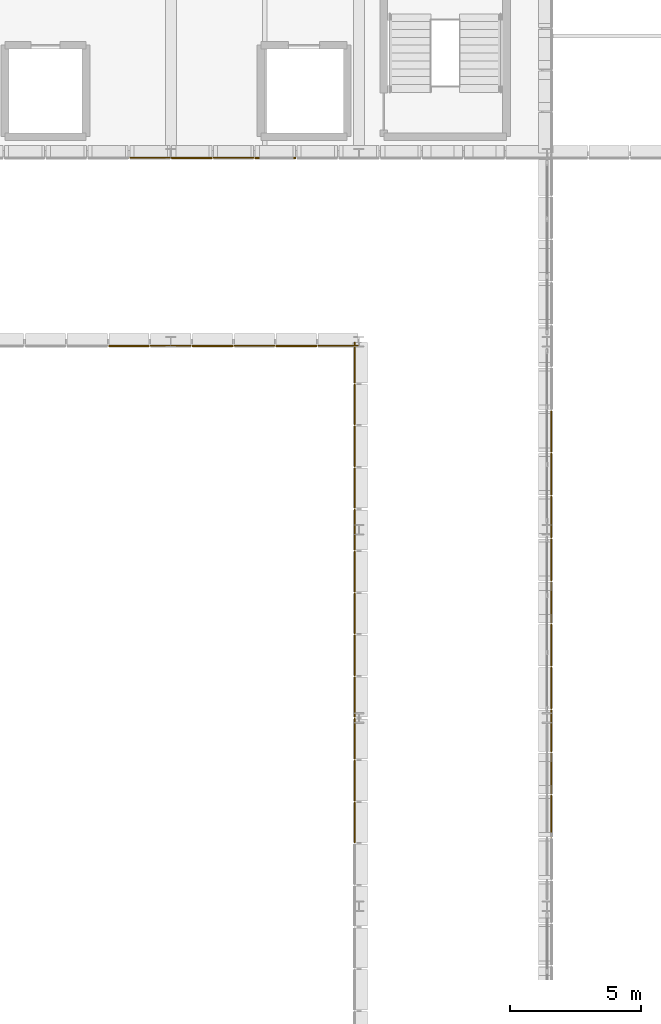
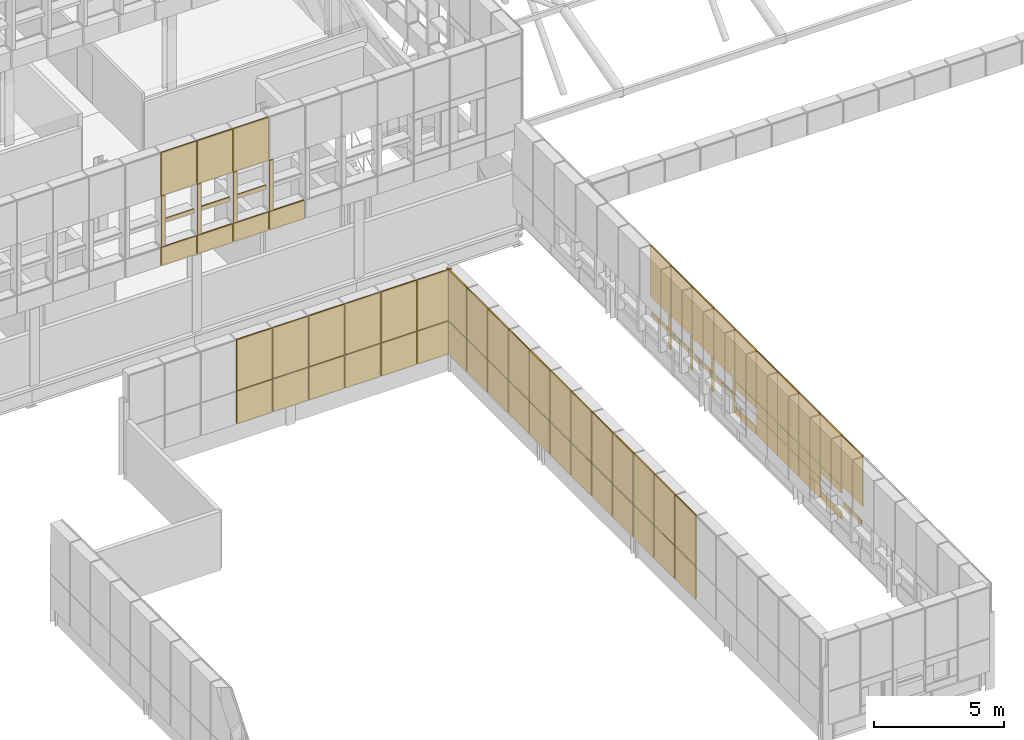
# One storey, part 80 of 96: 76 coverings.
"""IFC4 building model written with IfcOpenShell, lengths in metres."""

from ifc_helpers import new_model, si_unit, direction, frame, origin, origin_2d, place, context, subcontext, project, spatial, rectangle, extrude, material, layer, layer_set, type_object, element, save


model = new_model("IFC4")

# Units and contexts
model_context = context("Model", 3, precision=1e-05, world=origin(), true_north=direction((0.0, 1.0)))
body_context = subcontext(model_context, "Body", "Model", "MODEL_VIEW")
ifc_project = project(units=[si_unit("LENGTHUNIT", "METRE"), si_unit("AREAUNIT", "SQUARE_METRE"), si_unit("VOLUMEUNIT", "CUBIC_METRE"), si_unit("PLANEANGLEUNIT", "RADIAN"), si_unit("MASSUNIT", "GRAM", prefix="KILO")], contexts=[model_context])

# Site, building, storey
site_placement = place(None, origin())
site = spatial("IfcSite", under=ifc_project, at=site_placement, CompositionType="ELEMENT")
building_placement = place(site_placement, origin())
building = spatial("IfcBuilding", under=site, at=building_placement, Name="Yarey Park Central Fire Station", CompositionType="ELEMENT")
storey_placement = place(building_placement, frame((0.0, 0.0, 14.39990234375)))
storey = spatial("IfcBuildingStorey", under=building, at=storey_placement, Name="L04", CompositionType="ELEMENT", Elevation=14.39990234375)

# Coverings
ifc_material = material(Name="Perforated Powder-Coated Aluminium Cladding", Category="aluminium")
ifc_layer_1 = layer(ifc_material, 0.0419921875)
ifc_layer_set_1 = layer_set([ifc_layer_1], Name="Perforated Powder-Coated Aluminium Cladding")
covering_type_1 = type_object("IfcCoveringType", Name="ENV_COV_PERF_1", PredefinedType="CLADDING", material=ifc_layer_set_1)
covering_1_placement = place(storey_placement, frame((57.760009765625, 32.236328125, 1.55517578125), z_axis=(0.0, 0.0, 1.0), x_axis=(0.0, 1.0, 0.0)))
element("IfcCovering", 1, at=covering_1_placement, inside=storey, type_object=covering_type_1, Name="PERF_L04_0357", PredefinedType="CLADDING", context=body_context, shape_type="SweptSolid", body=[
    extrude(rectangle(XDim=1.396484375, YDim=0.0419921875, at=origin_2d()), origin(), (0.0, 0.0, 1.0), 0.159912109375),
])
covering_2_placement = place(storey_placement, frame((57.760009765625, 32.236328125, 2.43505859375), z_axis=(0.0, 0.0, 1.0), x_axis=(0.0, 1.0, 0.0)))
element("IfcCovering", 2, at=covering_2_placement, inside=storey, type_object=covering_type_1, Name="PERF_L04_0358", PredefinedType="CLADDING", context=body_context, shape_type="SweptSolid", body=[
    extrude(rectangle(XDim=1.596435546875, YDim=0.0419921875, at=origin_2d()), origin(), (0.0, 0.0, 1.0), 2.3701171875),
])
covering_3_placement = place(storey_placement, frame((57.760009765625, 35.509033203125, 0.864990234375), z_axis=(0.0, 0.0, 1.0), x_axis=(0.0, 1.0, 0.0)))
element("IfcCovering", 3, at=covering_3_placement, inside=storey, type_object=covering_type_1, Name="PERF_L04_0373", PredefinedType="CLADDING", context=body_context, shape_type="SweptSolid", body=[
    extrude(rectangle(XDim=1.596435546875, YDim=0.0419921875, at=origin_2d()), origin(), (0.0, 0.0, 1.0), 1.5400390625),
])
covering_4_placement = place(storey_placement, frame((57.760009765625, 35.509033203125, 2.43505859375), z_axis=(0.0, 0.0, 1.0), x_axis=(0.0, 1.0, 0.0)))
element("IfcCovering", 4, at=covering_4_placement, inside=storey, type_object=covering_type_1, Name="PERF_L04_0374", PredefinedType="CLADDING", context=body_context, shape_type="SweptSolid", body=[
    extrude(rectangle(XDim=1.596435546875, YDim=0.0419921875, at=origin_2d()), origin(), (0.0, 0.0, 1.0), 2.3701171875),
])
covering_5_placement = place(storey_placement, frame((57.760009765625, 38.78173828125, 0.864990234375), z_axis=(0.0, 0.0, 1.0), x_axis=(0.0, 1.0, 0.0)))
element("IfcCovering", 5, at=covering_5_placement, inside=storey, type_object=covering_type_1, Name="PERF_L04_0383", PredefinedType="CLADDING", context=body_context, shape_type="SweptSolid", body=[
    extrude(rectangle(XDim=1.596435546875, YDim=0.0419921875, at=origin_2d()), origin(), (0.0, 0.0, 1.0), 1.5400390625),
])
covering_6_placement = place(storey_placement, frame((57.760009765625, 38.78173828125, 2.43505859375), z_axis=(0.0, 0.0, 1.0), x_axis=(0.0, 1.0, 0.0)))
element("IfcCovering", 6, at=covering_6_placement, inside=storey, type_object=covering_type_1, Name="PERF_L04_0384", PredefinedType="CLADDING", context=body_context, shape_type="SweptSolid", body=[
    extrude(rectangle(XDim=1.596435546875, YDim=0.0419921875, at=origin_2d()), origin(), (0.0, 0.0, 1.0), 2.3701171875),
])
covering_7_placement = place(storey_placement, frame((57.760009765625, 41.34619140625, 0.864990234375), z_axis=(0.0, 0.0, 1.0), x_axis=(0.0, 1.0, 0.0)))
element("IfcCovering", 7, at=covering_7_placement, inside=storey, type_object=covering_type_1, Name="PERF_L04_0400", PredefinedType="CLADDING", context=body_context, shape_type="SweptSolid", body=[
    extrude(rectangle(XDim=0.159912109375, YDim=0.0419921875, at=origin_2d()), origin(), (0.0, 0.0, 1.0), 1.5400390625),
])
covering_8_placement = place(storey_placement, frame((57.760009765625, 42.054443359375, 1.55517578125), z_axis=(0.0, 0.0, 1.0), x_axis=(0.0, 1.0, 0.0)))
element("IfcCovering", 8, at=covering_8_placement, inside=storey, type_object=covering_type_1, Name="PERF_L04_0401", PredefinedType="CLADDING", context=body_context, shape_type="SweptSolid", body=[
    extrude(rectangle(XDim=1.396484375, YDim=0.0419921875, at=origin_2d()), origin(), (0.0, 0.0, 1.0), 0.159912109375),
])
covering_9_placement = place(storey_placement, frame((57.760009765625, 42.054443359375, 2.43505859375), z_axis=(0.0, 0.0, 1.0), x_axis=(0.0, 1.0, 0.0)))
element("IfcCovering", 9, at=covering_9_placement, inside=storey, type_object=covering_type_1, Name="PERF_L04_0402", PredefinedType="CLADDING", context=body_context, shape_type="SweptSolid", body=[
    extrude(rectangle(XDim=1.596435546875, YDim=0.0419921875, at=origin_2d()), origin(), (0.0, 0.0, 1.0), 2.3701171875),
])
covering_10_placement = place(storey_placement, frame((57.760009765625, 44.619140625, 0.864990234375), z_axis=(0.0, 0.0, 1.0), x_axis=(0.0, 1.0, 0.0)))
element("IfcCovering", 10, at=covering_10_placement, inside=storey, type_object=covering_type_1, Name="PERF_L04_0414", PredefinedType="CLADDING", context=body_context, shape_type="SweptSolid", body=[
    extrude(rectangle(XDim=0.159912109375, YDim=0.0419921875, at=origin_2d()), origin(), (0.0, 0.0, 1.0), 1.5400390625),
])
covering_11_placement = place(storey_placement, frame((57.760009765625, 45.327392578125, 1.55517578125), z_axis=(0.0, 0.0, 1.0), x_axis=(0.0, 1.0, 0.0)))
element("IfcCovering", 11, at=covering_11_placement, inside=storey, type_object=covering_type_1, Name="PERF_L04_0415", PredefinedType="CLADDING", context=body_context, shape_type="SweptSolid", body=[
    extrude(rectangle(XDim=1.396484375, YDim=0.0419921875, at=origin_2d()), origin(), (0.0, 0.0, 1.0), 0.159912109375),
])
covering_12_placement = place(storey_placement, frame((57.760009765625, 45.327392578125, 2.43505859375), z_axis=(0.0, 0.0, 1.0), x_axis=(0.0, 1.0, 0.0)))
element("IfcCovering", 12, at=covering_12_placement, inside=storey, type_object=covering_type_1, Name="PERF_L04_0416", PredefinedType="CLADDING", context=body_context, shape_type="SweptSolid", body=[
    extrude(rectangle(XDim=1.596435546875, YDim=0.0419921875, at=origin_2d()), origin(), (0.0, 0.0, 1.0), 2.3701171875),
])
covering_13_placement = place(storey_placement, frame((50.239990234375, 32.0, 0.864990234375), z_axis=(0.0, 0.0, 1.0), x_axis=(0.0, 1.0, 0.0)))
element("IfcCovering", 13, at=covering_13_placement, inside=storey, type_object=covering_type_1, Name="PERF_L04_1020", PredefinedType="CLADDING", context=body_context, shape_type="SweptSolid", body=[
    extrude(rectangle(XDim=1.56005859375, YDim=0.0419921875, at=origin_2d()), origin(), (0.0, 0.0, 1.0), 1.5400390625),
])
covering_14_placement = place(storey_placement, frame((50.239990234375, 32.0, 2.43505859375), z_axis=(0.0, 0.0, 1.0), x_axis=(0.0, 1.0, 0.0)))
element("IfcCovering", 14, at=covering_14_placement, inside=storey, type_object=covering_type_1, Name="PERF_L04_1021", PredefinedType="CLADDING", context=body_context, shape_type="SweptSolid", body=[
    extrude(rectangle(XDim=1.56005859375, YDim=0.0419921875, at=origin_2d()), origin(), (0.0, 0.0, 1.0), 2.3701171875),
])
covering_15_placement = place(storey_placement, frame((50.239990234375, 35.199951171875, 0.864990234375), z_axis=(0.0, 0.0, 1.0), x_axis=(0.0, 1.0, 0.0)))
element("IfcCovering", 15, at=covering_15_placement, inside=storey, type_object=covering_type_1, Name="PERF_L04_1030", PredefinedType="CLADDING", context=body_context, shape_type="SweptSolid", body=[
    extrude(rectangle(XDim=1.56005859375, YDim=0.0419921875, at=origin_2d()), origin(), (0.0, 0.0, 1.0), 1.5400390625),
])
covering_16_placement = place(storey_placement, frame((50.239990234375, 35.199951171875, 2.43505859375), z_axis=(0.0, 0.0, 1.0), x_axis=(0.0, 1.0, 0.0)))
element("IfcCovering", 16, at=covering_16_placement, inside=storey, type_object=covering_type_1, Name="PERF_L04_1031", PredefinedType="CLADDING", context=body_context, shape_type="SweptSolid", body=[
    extrude(rectangle(XDim=1.56005859375, YDim=0.0419921875, at=origin_2d()), origin(), (0.0, 0.0, 1.0), 2.3701171875),
])
covering_17_placement = place(storey_placement, frame((50.239990234375, 38.39990234375, 0.864990234375), z_axis=(0.0, 0.0, 1.0), x_axis=(0.0, 1.0, 0.0)))
element("IfcCovering", 17, at=covering_17_placement, inside=storey, type_object=covering_type_1, Name="PERF_L04_1040", PredefinedType="CLADDING", context=body_context, shape_type="SweptSolid", body=[
    extrude(rectangle(XDim=1.56005859375, YDim=0.0419921875, at=origin_2d()), origin(), (0.0, 0.0, 1.0), 1.5400390625),
])
covering_18_placement = place(storey_placement, frame((50.239990234375, 38.39990234375, 2.43505859375), z_axis=(0.0, 0.0, 1.0), x_axis=(0.0, 1.0, 0.0)))
element("IfcCovering", 18, at=covering_18_placement, inside=storey, type_object=covering_type_1, Name="PERF_L04_1041", PredefinedType="CLADDING", context=body_context, shape_type="SweptSolid", body=[
    extrude(rectangle(XDim=1.56005859375, YDim=0.0419921875, at=origin_2d()), origin(), (0.0, 0.0, 1.0), 2.3701171875),
])
covering_19_placement = place(storey_placement, frame((50.239990234375, 41.60009765625, 0.864990234375), z_axis=(0.0, 0.0, 1.0), x_axis=(0.0, 1.0, 0.0)))
element("IfcCovering", 19, at=covering_19_placement, inside=storey, type_object=covering_type_1, Name="PERF_L04_1050", PredefinedType="CLADDING", context=body_context, shape_type="SweptSolid", body=[
    extrude(rectangle(XDim=1.56005859375, YDim=0.0419921875, at=origin_2d()), origin(), (0.0, 0.0, 1.0), 1.5400390625),
])
covering_20_placement = place(storey_placement, frame((50.239990234375, 41.60009765625, 2.43505859375), z_axis=(0.0, 0.0, 1.0), x_axis=(0.0, 1.0, 0.0)))
element("IfcCovering", 20, at=covering_20_placement, inside=storey, type_object=covering_type_1, Name="PERF_L04_1051", PredefinedType="CLADDING", context=body_context, shape_type="SweptSolid", body=[
    extrude(rectangle(XDim=1.56005859375, YDim=0.0419921875, at=origin_2d()), origin(), (0.0, 0.0, 1.0), 2.3701171875),
])
covering_21_placement = place(storey_placement, frame((50.239990234375, 44.800048828125, 0.864990234375), z_axis=(0.0, 0.0, 1.0), x_axis=(0.0, 1.0, 0.0)))
element("IfcCovering", 21, at=covering_21_placement, inside=storey, type_object=covering_type_1, Name="PERF_L04_1060", PredefinedType="CLADDING", context=body_context, shape_type="SweptSolid", body=[
    extrude(rectangle(XDim=1.56005859375, YDim=0.0419921875, at=origin_2d()), origin(), (0.0, 0.0, 1.0), 1.5400390625),
])
covering_22_placement = place(storey_placement, frame((50.239990234375, 44.800048828125, 2.43505859375), z_axis=(0.0, 0.0, 1.0), x_axis=(0.0, 1.0, 0.0)))
element("IfcCovering", 22, at=covering_22_placement, inside=storey, type_object=covering_type_1, Name="PERF_L04_1061", PredefinedType="CLADDING", context=body_context, shape_type="SweptSolid", body=[
    extrude(rectangle(XDim=1.56005859375, YDim=0.0419921875, at=origin_2d()), origin(), (0.0, 0.0, 1.0), 2.3701171875),
])
covering_23_placement = place(storey_placement, frame((50.239990234375, 48.0, 0.864990234375), z_axis=(0.0, 0.0, 1.0), x_axis=(0.0, 1.0, 0.0)))
element("IfcCovering", 23, at=covering_23_placement, inside=storey, type_object=covering_type_1, Name="PERF_L04_1070", PredefinedType="CLADDING", context=body_context, shape_type="SweptSolid", body=[
    extrude(rectangle(XDim=1.56005859375, YDim=0.0419921875, at=origin_2d()), origin(), (0.0, 0.0, 1.0), 1.5400390625),
])
covering_24_placement = place(storey_placement, frame((50.239990234375, 48.0, 2.43505859375), z_axis=(0.0, 0.0, 1.0), x_axis=(0.0, 1.0, 0.0)))
element("IfcCovering", 24, at=covering_24_placement, inside=storey, type_object=covering_type_1, Name="PERF_L04_1071", PredefinedType="CLADDING", context=body_context, shape_type="SweptSolid", body=[
    extrude(rectangle(XDim=1.56005859375, YDim=0.0419921875, at=origin_2d()), origin(), (0.0, 0.0, 1.0), 2.3701171875),
])
covering_25_placement = place(storey_placement, frame((43.199951171875, 50.239990234375, 0.864990234375), z_axis=(0.0, 0.0, 1.0), x_axis=(1.0, 0.0, 0.0)))
element("IfcCovering", 25, at=covering_25_placement, inside=storey, type_object=covering_type_1, Name="PERF_L04_1100", PredefinedType="CLADDING", context=body_context, shape_type="SweptSolid", body=[
    extrude(rectangle(XDim=1.56005859375, YDim=0.0419921875, at=origin_2d()), origin(), (0.0, 0.0, 1.0), 1.5400390625),
])
covering_26_placement = place(storey_placement, frame((43.199951171875, 50.239990234375, 2.43505859375), z_axis=(0.0, 0.0, 1.0), x_axis=(1.0, 0.0, 0.0)))
element("IfcCovering", 26, at=covering_26_placement, inside=storey, type_object=covering_type_1, Name="PERF_L04_1101", PredefinedType="CLADDING", context=body_context, shape_type="SweptSolid", body=[
    extrude(rectangle(XDim=1.56005859375, YDim=0.0419921875, at=origin_2d()), origin(), (0.0, 0.0, 1.0), 2.3701171875),
])
covering_27_placement = place(storey_placement, frame((46.39990234375, 50.239990234375, 0.864990234375), z_axis=(0.0, 0.0, 1.0), x_axis=(1.0, 0.0, 0.0)))
element("IfcCovering", 27, at=covering_27_placement, inside=storey, type_object=covering_type_1, Name="PERF_L04_1110", PredefinedType="CLADDING", context=body_context, shape_type="SweptSolid", body=[
    extrude(rectangle(XDim=1.56005859375, YDim=0.0419921875, at=origin_2d()), origin(), (0.0, 0.0, 1.0), 1.5400390625),
])
covering_28_placement = place(storey_placement, frame((46.39990234375, 50.239990234375, 2.43505859375), z_axis=(0.0, 0.0, 1.0), x_axis=(1.0, 0.0, 0.0)))
element("IfcCovering", 28, at=covering_28_placement, inside=storey, type_object=covering_type_1, Name="PERF_L04_1111", PredefinedType="CLADDING", context=body_context, shape_type="SweptSolid", body=[
    extrude(rectangle(XDim=1.56005859375, YDim=0.0419921875, at=origin_2d()), origin(), (0.0, 0.0, 1.0), 2.3701171875),
])
covering_29_placement = place(storey_placement, frame((49.60009765625, 50.239990234375, 0.864990234375), z_axis=(0.0, 0.0, 1.0), x_axis=(1.0, 0.0, 0.0)))
element("IfcCovering", 29, at=covering_29_placement, inside=storey, type_object=covering_type_1, Name="PERF_L04_1120", PredefinedType="CLADDING", context=body_context, shape_type="SweptSolid", body=[
    extrude(rectangle(XDim=1.56005859375, YDim=0.0419921875, at=origin_2d()), origin(), (0.0, 0.0, 1.0), 1.5400390625),
])
covering_30_placement = place(storey_placement, frame((49.60009765625, 50.239990234375, 2.43505859375), z_axis=(0.0, 0.0, 1.0), x_axis=(1.0, 0.0, 0.0)))
element("IfcCovering", 30, at=covering_30_placement, inside=storey, type_object=covering_type_1, Name="PERF_L04_1121", PredefinedType="CLADDING", context=body_context, shape_type="SweptSolid", body=[
    extrude(rectangle(XDim=1.56005859375, YDim=0.0419921875, at=origin_2d()), origin(), (0.0, 0.0, 1.0), 2.3701171875),
])
covering_31_placement = place(storey_placement, frame((42.39990234375, 57.43994140625, 3.635009765625), z_axis=(0.0, 0.0, 1.0), x_axis=(1.0, 0.0, 0.0)))
element("IfcCovering", 31, at=covering_31_placement, inside=storey, type_object=covering_type_1, Name="PERF_L04_1157", PredefinedType="CLADDING", context=body_context, shape_type="SweptSolid", body=[
    extrude(rectangle(XDim=1.56005859375, YDim=0.0419921875, at=origin_2d()), origin(), (0.0, 0.0, 1.0), 0.85009765625),
])
covering_32_placement = place(storey_placement, frame((41.7099609375, 57.43994140625, 4.51513671875), z_axis=(0.0, 0.0, 1.0), x_axis=(1.0, 0.0, 0.0)))
element("IfcCovering", 32, at=covering_32_placement, inside=storey, type_object=covering_type_1, Name="PERF_L04_1158", PredefinedType="CLADDING", context=body_context, shape_type="SweptSolid", body=[
    extrude(rectangle(XDim=0.159912109375, YDim=0.0419921875, at=origin_2d()), origin(), (0.0, 0.0, 1.0), 2.3701171875),
])
covering_33_placement = place(storey_placement, frame((42.39990234375, 57.43994140625, 5.6201171875), z_axis=(0.0, 0.0, 1.0), x_axis=(1.0, 0.0, 0.0)))
element("IfcCovering", 33, at=covering_33_placement, inside=storey, type_object=covering_type_1, Name="PERF_L04_1159", PredefinedType="CLADDING", context=body_context, shape_type="SweptSolid", body=[
    extrude(rectangle(XDim=1.360107421875, YDim=0.0419921875, at=origin_2d()), origin(), (0.0, 0.0, 1.0), 0.159912109375),
])
covering_34_placement = place(storey_placement, frame((42.39990234375, 57.43994140625, 6.9150390625), z_axis=(0.0, 0.0, 1.0), x_axis=(1.0, 0.0, 0.0)))
element("IfcCovering", 34, at=covering_34_placement, inside=storey, type_object=covering_type_1, Name="PERF_L04_1160", PredefinedType="CLADDING", context=body_context, shape_type="SweptSolid", body=[
    extrude(rectangle(XDim=1.56005859375, YDim=0.0419921875, at=origin_2d()), origin(), (0.0, 0.0, 1.0), 2.02001953125),
])
covering_35_placement = place(storey_placement, frame((45.60009765625, 57.43994140625, 3.635009765625), z_axis=(0.0, 0.0, 1.0), x_axis=(1.0, 0.0, 0.0)))
element("IfcCovering", 35, at=covering_35_placement, inside=storey, type_object=covering_type_1, Name="PERF_L04_1165", PredefinedType="CLADDING", context=body_context, shape_type="SweptSolid", body=[
    extrude(rectangle(XDim=1.56005859375, YDim=0.0419921875, at=origin_2d()), origin(), (0.0, 0.0, 1.0), 0.85009765625),
])
covering_36_placement = place(storey_placement, frame((44.909912109375, 57.43994140625, 4.51513671875), z_axis=(0.0, 0.0, 1.0), x_axis=(1.0, 0.0, 0.0)))
element("IfcCovering", 36, at=covering_36_placement, inside=storey, type_object=covering_type_1, Name="PERF_L04_1166", PredefinedType="CLADDING", context=body_context, shape_type="SweptSolid", body=[
    extrude(rectangle(XDim=0.159912109375, YDim=0.0419921875, at=origin_2d()), origin(), (0.0, 0.0, 1.0), 2.3701171875),
])
covering_37_placement = place(storey_placement, frame((45.60009765625, 57.43994140625, 5.6201171875), z_axis=(0.0, 0.0, 1.0), x_axis=(1.0, 0.0, 0.0)))
element("IfcCovering", 37, at=covering_37_placement, inside=storey, type_object=covering_type_1, Name="PERF_L04_1167", PredefinedType="CLADDING", context=body_context, shape_type="SweptSolid", body=[
    extrude(rectangle(XDim=1.360107421875, YDim=0.0419921875, at=origin_2d()), origin(), (0.0, 0.0, 1.0), 0.159912109375),
])
covering_38_placement = place(storey_placement, frame((45.60009765625, 57.43994140625, 6.9150390625), z_axis=(0.0, 0.0, 1.0), x_axis=(1.0, 0.0, 0.0)))
element("IfcCovering", 38, at=covering_38_placement, inside=storey, type_object=covering_type_1, Name="PERF_L04_1168", PredefinedType="CLADDING", context=body_context, shape_type="SweptSolid", body=[
    extrude(rectangle(XDim=1.56005859375, YDim=0.0419921875, at=origin_2d()), origin(), (0.0, 0.0, 1.0), 2.02001953125),
])
ifc_layer_2 = layer(ifc_material, 0.053955078125)
ifc_layer_set_2 = layer_set([ifc_layer_2], Name="Perforated Powder-Coated Aluminium Cladding")
covering_type_2 = type_object("IfcCoveringType", Name="ENV_COV_PERF_2", PredefinedType="CLADDING", material=ifc_layer_set_2)
for number, where, z_axis, x_axis, name in (
    (39, (57.760009765625, 33.872802734375, 0.85986328125), (0.0, 0.0, 1.0), (0.0, 1.0, 0.0), "PERF_L04_0365"),
    (40, (57.760009765625, 33.872802734375, 2.06982421875), (0.0, 0.0, 1.0), (0.0, 1.0, 0.0), "PERF_L04_0366"),
):
    element("IfcCovering", number, at=place(storey_placement, frame(where, z_axis=z_axis, x_axis=x_axis)), inside=storey, type_object=covering_type_2, Name=name, PredefinedType="CLADDING", context=body_context, shape_type="SweptSolid", body=[
        extrude(rectangle(XDim=1.596435546875, YDim=0.053955078125, at=origin_2d()), origin(), (0.0, 0.0, 1.0), 0.340087890625),
    ])
covering_39_placement = place(storey_placement, frame((57.760009765625, 33.872802734375, 2.43505859375), z_axis=(0.0, 0.0, 1.0), x_axis=(0.0, 1.0, 0.0)))
element("IfcCovering", 41, at=covering_39_placement, inside=storey, type_object=covering_type_2, Name="PERF_L04_0369", PredefinedType="CLADDING", context=body_context, shape_type="SweptSolid", body=[
    extrude(rectangle(XDim=1.596435546875, YDim=0.053955078125, at=origin_2d()), origin(), (0.0, 0.0, 1.0), 2.3701171875),
])
covering_40_placement = place(storey_placement, frame((57.760009765625, 37.1455078125, 0.864990234375), z_axis=(0.0, 0.0, 1.0), x_axis=(0.0, 1.0, 0.0)))
element("IfcCovering", 42, at=covering_40_placement, inside=storey, type_object=covering_type_2, Name="PERF_L04_0378", PredefinedType="CLADDING", context=body_context, shape_type="SweptSolid", body=[
    extrude(rectangle(XDim=1.596435546875, YDim=0.053955078125, at=origin_2d()), origin(), (0.0, 0.0, 1.0), 1.5400390625),
])
covering_41_placement = place(storey_placement, frame((57.760009765625, 37.1455078125, 2.43505859375), z_axis=(0.0, 0.0, 1.0), x_axis=(0.0, 1.0, 0.0)))
element("IfcCovering", 43, at=covering_41_placement, inside=storey, type_object=covering_type_2, Name="PERF_L04_0379", PredefinedType="CLADDING", context=body_context, shape_type="SweptSolid", body=[
    extrude(rectangle(XDim=1.596435546875, YDim=0.053955078125, at=origin_2d()), origin(), (0.0, 0.0, 1.0), 2.3701171875),
])
for number, where, z_axis, x_axis, name in (
    (44, (57.760009765625, 40.418212890625, 0.85986328125), (0.0, 0.0, 1.0), (0.0, 1.0, 0.0), "PERF_L04_0391"),
    (45, (57.760009765625, 40.418212890625, 2.06982421875), (0.0, 0.0, 1.0), (0.0, 1.0, 0.0), "PERF_L04_0392"),
):
    element("IfcCovering", number, at=place(storey_placement, frame(where, z_axis=z_axis, x_axis=x_axis)), inside=storey, type_object=covering_type_2, Name=name, PredefinedType="CLADDING", context=body_context, shape_type="SweptSolid", body=[
        extrude(rectangle(XDim=1.596435546875, YDim=0.053955078125, at=origin_2d()), origin(), (0.0, 0.0, 1.0), 0.340087890625),
    ])
covering_42_placement = place(storey_placement, frame((57.760009765625, 40.418212890625, 2.43505859375), z_axis=(0.0, 0.0, 1.0), x_axis=(0.0, 1.0, 0.0)))
element("IfcCovering", 46, at=covering_42_placement, inside=storey, type_object=covering_type_2, Name="PERF_L04_0395", PredefinedType="CLADDING", context=body_context, shape_type="SweptSolid", body=[
    extrude(rectangle(XDim=1.596435546875, YDim=0.053955078125, at=origin_2d()), origin(), (0.0, 0.0, 1.0), 2.3701171875),
])
covering_43_placement = place(storey_placement, frame((57.760009765625, 42.982666015625, 0.864990234375), z_axis=(0.0, 0.0, 1.0), x_axis=(0.0, 1.0, 0.0)))
element("IfcCovering", 47, at=covering_43_placement, inside=storey, type_object=covering_type_2, Name="PERF_L04_0407", PredefinedType="CLADDING", context=body_context, shape_type="SweptSolid", body=[
    extrude(rectangle(XDim=0.159912109375, YDim=0.053955078125, at=origin_2d()), origin(), (0.0, 0.0, 1.0), 1.5400390625),
])
covering_44_placement = place(storey_placement, frame((57.760009765625, 43.69091796875, 1.55517578125), z_axis=(0.0, 0.0, 1.0), x_axis=(0.0, 1.0, 0.0)))
element("IfcCovering", 48, at=covering_44_placement, inside=storey, type_object=covering_type_2, Name="PERF_L04_0408", PredefinedType="CLADDING", context=body_context, shape_type="SweptSolid", body=[
    extrude(rectangle(XDim=1.396484375, YDim=0.053955078125, at=origin_2d()), origin(), (0.0, 0.0, 1.0), 0.159912109375),
])
covering_45_placement = place(storey_placement, frame((57.760009765625, 43.69091796875, 2.43505859375), z_axis=(0.0, 0.0, 1.0), x_axis=(0.0, 1.0, 0.0)))
element("IfcCovering", 49, at=covering_45_placement, inside=storey, type_object=covering_type_2, Name="PERF_L04_0409", PredefinedType="CLADDING", context=body_context, shape_type="SweptSolid", body=[
    extrude(rectangle(XDim=1.596435546875, YDim=0.053955078125, at=origin_2d()), origin(), (0.0, 0.0, 1.0), 2.3701171875),
])
covering_46_placement = place(storey_placement, frame((57.760009765625, 46.25537109375, 0.864990234375), z_axis=(0.0, 0.0, 1.0), x_axis=(0.0, 1.0, 0.0)))
element("IfcCovering", 50, at=covering_46_placement, inside=storey, type_object=covering_type_2, Name="PERF_L04_0421", PredefinedType="CLADDING", context=body_context, shape_type="SweptSolid", body=[
    extrude(rectangle(XDim=0.159912109375, YDim=0.053955078125, at=origin_2d()), origin(), (0.0, 0.0, 1.0), 1.5400390625),
])
covering_47_placement = place(storey_placement, frame((57.760009765625, 46.963623046875, 1.55517578125), z_axis=(0.0, 0.0, 1.0), x_axis=(0.0, 1.0, 0.0)))
element("IfcCovering", 51, at=covering_47_placement, inside=storey, type_object=covering_type_2, Name="PERF_L04_0422", PredefinedType="CLADDING", context=body_context, shape_type="SweptSolid", body=[
    extrude(rectangle(XDim=1.396484375, YDim=0.053955078125, at=origin_2d()), origin(), (0.0, 0.0, 1.0), 0.159912109375),
])
covering_48_placement = place(storey_placement, frame((57.760009765625, 46.963623046875, 2.43505859375), z_axis=(0.0, 0.0, 1.0), x_axis=(0.0, 1.0, 0.0)))
element("IfcCovering", 52, at=covering_48_placement, inside=storey, type_object=covering_type_2, Name="PERF_L04_0423", PredefinedType="CLADDING", context=body_context, shape_type="SweptSolid", body=[
    extrude(rectangle(XDim=1.596435546875, YDim=0.053955078125, at=origin_2d()), origin(), (0.0, 0.0, 1.0), 2.3701171875),
])
covering_49_placement = place(storey_placement, frame((50.239990234375, 33.60009765625, 0.864990234375), z_axis=(0.0, 0.0, 1.0), x_axis=(0.0, 1.0, 0.0)))
element("IfcCovering", 53, at=covering_49_placement, inside=storey, type_object=covering_type_2, Name="PERF_L04_1025", PredefinedType="CLADDING", context=body_context, shape_type="SweptSolid", body=[
    extrude(rectangle(XDim=1.56005859375, YDim=0.053955078125, at=origin_2d()), origin(), (0.0, 0.0, 1.0), 1.5400390625),
])
covering_50_placement = place(storey_placement, frame((50.239990234375, 33.60009765625, 2.43505859375), z_axis=(0.0, 0.0, 1.0), x_axis=(0.0, 1.0, 0.0)))
element("IfcCovering", 54, at=covering_50_placement, inside=storey, type_object=covering_type_2, Name="PERF_L04_1026", PredefinedType="CLADDING", context=body_context, shape_type="SweptSolid", body=[
    extrude(rectangle(XDim=1.56005859375, YDim=0.053955078125, at=origin_2d()), origin(), (0.0, 0.0, 1.0), 2.3701171875),
])
covering_51_placement = place(storey_placement, frame((50.239990234375, 36.800048828125, 0.864990234375), z_axis=(0.0, 0.0, 1.0), x_axis=(0.0, 1.0, 0.0)))
element("IfcCovering", 55, at=covering_51_placement, inside=storey, type_object=covering_type_2, Name="PERF_L04_1035", PredefinedType="CLADDING", context=body_context, shape_type="SweptSolid", body=[
    extrude(rectangle(XDim=1.56005859375, YDim=0.053955078125, at=origin_2d()), origin(), (0.0, 0.0, 1.0), 1.5400390625),
])
covering_52_placement = place(storey_placement, frame((50.239990234375, 36.800048828125, 2.43505859375), z_axis=(0.0, 0.0, 1.0), x_axis=(0.0, 1.0, 0.0)))
element("IfcCovering", 56, at=covering_52_placement, inside=storey, type_object=covering_type_2, Name="PERF_L04_1036", PredefinedType="CLADDING", context=body_context, shape_type="SweptSolid", body=[
    extrude(rectangle(XDim=1.56005859375, YDim=0.053955078125, at=origin_2d()), origin(), (0.0, 0.0, 1.0), 2.3701171875),
])
covering_53_placement = place(storey_placement, frame((50.239990234375, 40.0, 0.864990234375), z_axis=(0.0, 0.0, 1.0), x_axis=(0.0, 1.0, 0.0)))
element("IfcCovering", 57, at=covering_53_placement, inside=storey, type_object=covering_type_2, Name="PERF_L04_1045", PredefinedType="CLADDING", context=body_context, shape_type="SweptSolid", body=[
    extrude(rectangle(XDim=1.56005859375, YDim=0.053955078125, at=origin_2d()), origin(), (0.0, 0.0, 1.0), 1.5400390625),
])
covering_54_placement = place(storey_placement, frame((50.239990234375, 40.0, 2.43505859375), z_axis=(0.0, 0.0, 1.0), x_axis=(0.0, 1.0, 0.0)))
element("IfcCovering", 58, at=covering_54_placement, inside=storey, type_object=covering_type_2, Name="PERF_L04_1046", PredefinedType="CLADDING", context=body_context, shape_type="SweptSolid", body=[
    extrude(rectangle(XDim=1.56005859375, YDim=0.053955078125, at=origin_2d()), origin(), (0.0, 0.0, 1.0), 2.3701171875),
])
covering_55_placement = place(storey_placement, frame((50.239990234375, 43.199951171875, 0.864990234375), z_axis=(0.0, 0.0, 1.0), x_axis=(0.0, 1.0, 0.0)))
element("IfcCovering", 59, at=covering_55_placement, inside=storey, type_object=covering_type_2, Name="PERF_L04_1055", PredefinedType="CLADDING", context=body_context, shape_type="SweptSolid", body=[
    extrude(rectangle(XDim=1.56005859375, YDim=0.053955078125, at=origin_2d()), origin(), (0.0, 0.0, 1.0), 1.5400390625),
])
covering_56_placement = place(storey_placement, frame((50.239990234375, 43.199951171875, 2.43505859375), z_axis=(0.0, 0.0, 1.0), x_axis=(0.0, 1.0, 0.0)))
element("IfcCovering", 60, at=covering_56_placement, inside=storey, type_object=covering_type_2, Name="PERF_L04_1056", PredefinedType="CLADDING", context=body_context, shape_type="SweptSolid", body=[
    extrude(rectangle(XDim=1.56005859375, YDim=0.053955078125, at=origin_2d()), origin(), (0.0, 0.0, 1.0), 2.3701171875),
])
covering_57_placement = place(storey_placement, frame((50.239990234375, 46.39990234375, 0.864990234375), z_axis=(0.0, 0.0, 1.0), x_axis=(0.0, 1.0, 0.0)))
element("IfcCovering", 61, at=covering_57_placement, inside=storey, type_object=covering_type_2, Name="PERF_L04_1065", PredefinedType="CLADDING", context=body_context, shape_type="SweptSolid", body=[
    extrude(rectangle(XDim=1.56005859375, YDim=0.053955078125, at=origin_2d()), origin(), (0.0, 0.0, 1.0), 1.5400390625),
])
covering_58_placement = place(storey_placement, frame((50.239990234375, 46.39990234375, 2.43505859375), z_axis=(0.0, 0.0, 1.0), x_axis=(0.0, 1.0, 0.0)))
element("IfcCovering", 62, at=covering_58_placement, inside=storey, type_object=covering_type_2, Name="PERF_L04_1066", PredefinedType="CLADDING", context=body_context, shape_type="SweptSolid", body=[
    extrude(rectangle(XDim=1.56005859375, YDim=0.053955078125, at=origin_2d()), origin(), (0.0, 0.0, 1.0), 2.3701171875),
])
covering_59_placement = place(storey_placement, frame((50.239990234375, 49.60009765625, 0.864990234375), z_axis=(0.0, 0.0, 1.0), x_axis=(0.0, 1.0, 0.0)))
element("IfcCovering", 63, at=covering_59_placement, inside=storey, type_object=covering_type_2, Name="PERF_L04_1075", PredefinedType="CLADDING", context=body_context, shape_type="SweptSolid", body=[
    extrude(rectangle(XDim=1.56005859375, YDim=0.053955078125, at=origin_2d()), origin(), (0.0, 0.0, 1.0), 1.5400390625),
])
covering_60_placement = place(storey_placement, frame((50.239990234375, 49.60009765625, 2.43505859375), z_axis=(0.0, 0.0, 1.0), x_axis=(0.0, 1.0, 0.0)))
element("IfcCovering", 64, at=covering_60_placement, inside=storey, type_object=covering_type_2, Name="PERF_L04_1076", PredefinedType="CLADDING", context=body_context, shape_type="SweptSolid", body=[
    extrude(rectangle(XDim=1.56005859375, YDim=0.053955078125, at=origin_2d()), origin(), (0.0, 0.0, 1.0), 2.3701171875),
])
covering_61_placement = place(storey_placement, frame((41.60009765625, 50.239990234375, 0.864990234375), z_axis=(0.0, 0.0, 1.0), x_axis=(1.0, 0.0, 0.0)))
element("IfcCovering", 65, at=covering_61_placement, inside=storey, type_object=covering_type_2, Name="PERF_L04_1095", PredefinedType="CLADDING", context=body_context, shape_type="SweptSolid", body=[
    extrude(rectangle(XDim=1.56005859375, YDim=0.053955078125, at=origin_2d()), origin(), (0.0, 0.0, 1.0), 1.5400390625),
])
covering_62_placement = place(storey_placement, frame((41.60009765625, 50.239990234375, 2.43505859375), z_axis=(0.0, 0.0, 1.0), x_axis=(1.0, 0.0, 0.0)))
element("IfcCovering", 66, at=covering_62_placement, inside=storey, type_object=covering_type_2, Name="PERF_L04_1096", PredefinedType="CLADDING", context=body_context, shape_type="SweptSolid", body=[
    extrude(rectangle(XDim=1.56005859375, YDim=0.053955078125, at=origin_2d()), origin(), (0.0, 0.0, 1.0), 2.3701171875),
])
covering_63_placement = place(storey_placement, frame((44.800048828125, 50.239990234375, 0.864990234375), z_axis=(0.0, 0.0, 1.0), x_axis=(1.0, 0.0, 0.0)))
element("IfcCovering", 67, at=covering_63_placement, inside=storey, type_object=covering_type_2, Name="PERF_L04_1105", PredefinedType="CLADDING", context=body_context, shape_type="SweptSolid", body=[
    extrude(rectangle(XDim=1.56005859375, YDim=0.053955078125, at=origin_2d()), origin(), (0.0, 0.0, 1.0), 1.5400390625),
])
covering_64_placement = place(storey_placement, frame((44.800048828125, 50.239990234375, 2.43505859375), z_axis=(0.0, 0.0, 1.0), x_axis=(1.0, 0.0, 0.0)))
element("IfcCovering", 68, at=covering_64_placement, inside=storey, type_object=covering_type_2, Name="PERF_L04_1106", PredefinedType="CLADDING", context=body_context, shape_type="SweptSolid", body=[
    extrude(rectangle(XDim=1.56005859375, YDim=0.053955078125, at=origin_2d()), origin(), (0.0, 0.0, 1.0), 2.3701171875),
])
covering_65_placement = place(storey_placement, frame((48.0, 50.239990234375, 0.864990234375), z_axis=(0.0, 0.0, 1.0), x_axis=(1.0, 0.0, 0.0)))
element("IfcCovering", 69, at=covering_65_placement, inside=storey, type_object=covering_type_2, Name="PERF_L04_1115", PredefinedType="CLADDING", context=body_context, shape_type="SweptSolid", body=[
    extrude(rectangle(XDim=1.56005859375, YDim=0.053955078125, at=origin_2d()), origin(), (0.0, 0.0, 1.0), 1.5400390625),
])
covering_66_placement = place(storey_placement, frame((48.0, 50.239990234375, 2.43505859375), z_axis=(0.0, 0.0, 1.0), x_axis=(1.0, 0.0, 0.0)))
element("IfcCovering", 70, at=covering_66_placement, inside=storey, type_object=covering_type_2, Name="PERF_L04_1116", PredefinedType="CLADDING", context=body_context, shape_type="SweptSolid", body=[
    extrude(rectangle(XDim=1.56005859375, YDim=0.053955078125, at=origin_2d()), origin(), (0.0, 0.0, 1.0), 2.3701171875),
])
covering_67_placement = place(storey_placement, frame((44.0, 57.43994140625, 3.635009765625), z_axis=(0.0, 0.0, 1.0), x_axis=(1.0, 0.0, 0.0)))
element("IfcCovering", 71, at=covering_67_placement, inside=storey, type_object=covering_type_2, Name="PERF_L04_1161", PredefinedType="CLADDING", context=body_context, shape_type="SweptSolid", body=[
    extrude(rectangle(XDim=1.56005859375, YDim=0.053955078125, at=origin_2d()), origin(), (0.0, 0.0, 1.0), 0.85009765625),
])
covering_68_placement = place(storey_placement, frame((43.31005859375, 57.43994140625, 4.51513671875), z_axis=(0.0, 0.0, 1.0), x_axis=(1.0, 0.0, 0.0)))
element("IfcCovering", 72, at=covering_68_placement, inside=storey, type_object=covering_type_2, Name="PERF_L04_1162", PredefinedType="CLADDING", context=body_context, shape_type="SweptSolid", body=[
    extrude(rectangle(XDim=0.159912109375, YDim=0.053955078125, at=origin_2d()), origin(), (0.0, 0.0, 1.0), 2.3701171875),
])
covering_69_placement = place(storey_placement, frame((44.0, 57.43994140625, 5.6201171875), z_axis=(0.0, 0.0, 1.0), x_axis=(1.0, 0.0, 0.0)))
element("IfcCovering", 73, at=covering_69_placement, inside=storey, type_object=covering_type_2, Name="PERF_L04_1163", PredefinedType="CLADDING", context=body_context, shape_type="SweptSolid", body=[
    extrude(rectangle(XDim=1.360107421875, YDim=0.053955078125, at=origin_2d()), origin(), (0.0, 0.0, 1.0), 0.159912109375),
])
covering_70_placement = place(storey_placement, frame((44.0, 57.43994140625, 6.9150390625), z_axis=(0.0, 0.0, 1.0), x_axis=(1.0, 0.0, 0.0)))
element("IfcCovering", 74, at=covering_70_placement, inside=storey, type_object=covering_type_2, Name="PERF_L04_1164", PredefinedType="CLADDING", context=body_context, shape_type="SweptSolid", body=[
    extrude(rectangle(XDim=1.56005859375, YDim=0.053955078125, at=origin_2d()), origin(), (0.0, 0.0, 1.0), 2.02001953125),
])
covering_71_placement = place(storey_placement, frame((47.199951171875, 57.43994140625, 3.635009765625), z_axis=(0.0, 0.0, 1.0), x_axis=(1.0, 0.0, 0.0)))
element("IfcCovering", 75, at=covering_71_placement, inside=storey, type_object=covering_type_2, Name="PERF_L04_1169", PredefinedType="CLADDING", context=body_context, shape_type="SweptSolid", body=[
    extrude(rectangle(XDim=1.56005859375, YDim=0.053955078125, at=origin_2d()), origin(), (0.0, 0.0, 1.0), 0.85009765625),
])
covering_72_placement = place(storey_placement, frame((46.510009765625, 57.43994140625, 4.51513671875), z_axis=(0.0, 0.0, 1.0), x_axis=(1.0, 0.0, 0.0)))
element("IfcCovering", 76, at=covering_72_placement, inside=storey, type_object=covering_type_2, Name="PERF_L04_1170", PredefinedType="CLADDING", context=body_context, shape_type="SweptSolid", body=[
    extrude(rectangle(XDim=0.159912109375, YDim=0.053955078125, at=origin_2d()), origin(), (0.0, 0.0, 1.0), 2.3701171875),
])

save(model, "model.ifc")
